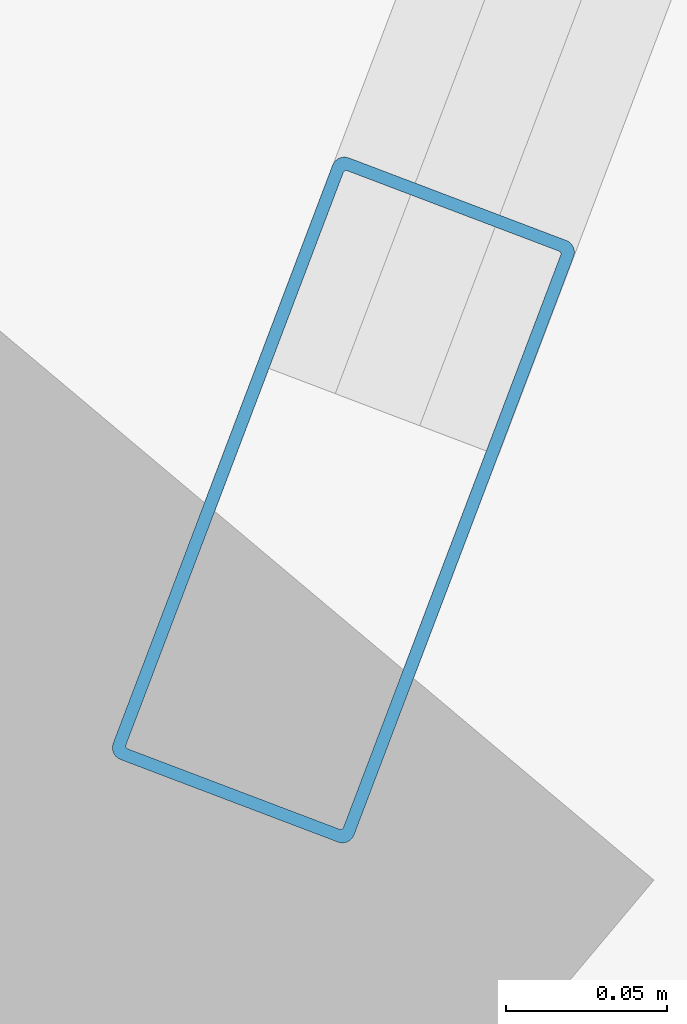
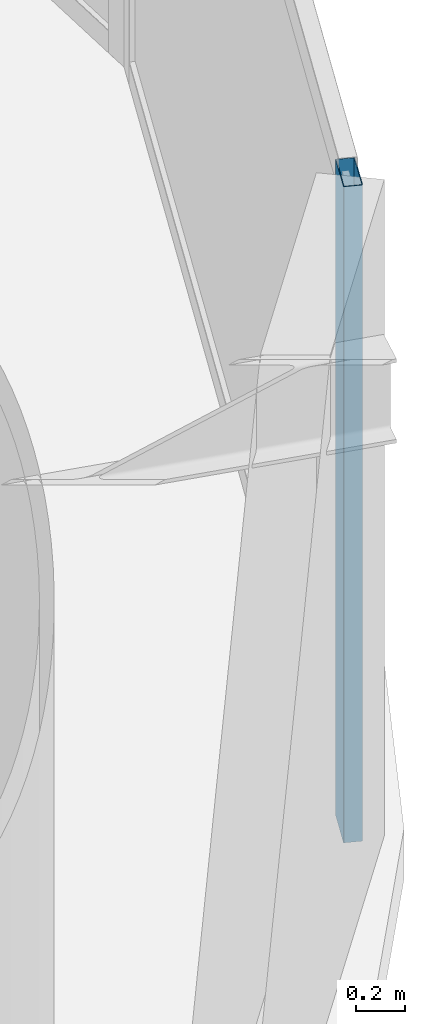
# One storey, part 10 of 27: 1 member, 1 element without a shape of its own.
"""IFC4 building model written with IfcOpenShell, lengths in metres."""

from ifc_helpers import new_model, si_unit, direction, frame, origin, origin_2d, place, context, subcontext, project, spatial, hollow_rectangle, extrude, material, layer, layer_set, material_profile, profile_set, type_object, element, aggregate, save


model = new_model("IFC4")

# Units and contexts
model_context = context("Model", 3, precision=1e-05, world=origin(), true_north=direction((0.0, 1.0)))
body_context = subcontext(model_context, "Body", "Model", "MODEL_VIEW")
ifc_project = project(units=[si_unit("LENGTHUNIT", "METRE"), si_unit("AREAUNIT", "SQUARE_METRE"), si_unit("VOLUMEUNIT", "CUBIC_METRE"), si_unit("PLANEANGLEUNIT", "RADIAN"), si_unit("MASSUNIT", "GRAM", prefix="KILO")], contexts=[model_context])

# Site, building, storey
site_placement = place(None, origin())
site = spatial("IfcSite", under=ifc_project, at=site_placement, CompositionType="ELEMENT")
building_placement = place(site_placement, origin())
building = spatial("IfcBuilding", under=site, at=building_placement, Name="Bramvorn Convention Spire", CompositionType="ELEMENT")
storey_placement = place(building_placement, frame((0.0, 0.0, 72.89990234375)))
storey = spatial("IfcBuildingStorey", under=building, at=storey_placement, Name="L16", CompositionType="ELEMENT", Elevation=72.89990234375)

# Curtain wall, member
ifc_material_1 = material(Name="Anodised Bronze Unitised Curtain Wall", Category="aluminium")
ifc_layer = layer(ifc_material_1, 0.179931640625)
ifc_layer_set = layer_set([ifc_layer], Name="Anodised Bronze Unitised Curtain Wall - CW-HTL-FRIT")
curtain_wall_type = type_object("IfcCurtainWallType", Name="CW-HTL-FRIT", PredefinedType="USERDEFINED", material=ifc_layer_set)
curtain_wall_placement = place(storey_placement, origin())
curtain_wall = element("IfcCurtainWall", 1, at=curtain_wall_placement, inside=storey, type_object=curtain_wall_type, Name="L16 fritted glass curtain wall 24", ObjectType="UNITISED CURTAIN WALL", PredefinedType="USERDEFINED")
ifc_material_2 = material(Name="Anodised Bronze Aluminium 6063-T6", Category="aluminium")
ifc_material_profile = material_profile(ifc_material_2, hollow_rectangle(XDim=0.080078125, YDim=0.199951171875, WallThickness=0.00390625, InnerFilletRadius=0.0009765625, OuterFilletRadius=0.00390625, at=origin_2d()))
ifc_profile_set = profile_set([ifc_material_profile], Name="Anodised Bronze Aluminium 6063-T6 - CWM80X200")
member_type = type_object("IfcMemberType", Name="CW-MUL-180", PredefinedType="MULLION", material=ifc_profile_set)
member_placement = place(storey_placement, frame((66.02294921875, 15.874267578125, 0.0), z_axis=(0.0, 0.0, 1.0), x_axis=(0.934901189917, -0.354908107953, 0.0)))
member = element("IfcMember", 2, at=member_placement, type_object=member_type, Name="CW2 mullion 2", PredefinedType="MULLION", context=body_context, shape_type="SweptSolid", body=[
    extrude(hollow_rectangle(XDim=0.080078125, YDim=0.199951171875, WallThickness=0.00390625, InnerFilletRadius=0.0009765625, OuterFilletRadius=0.00390625, at=origin_2d()), origin(), (0.0, 0.0, 1.0), 3.25),
])
aggregate(curtain_wall, [member])

save(model, "model.ifc")
